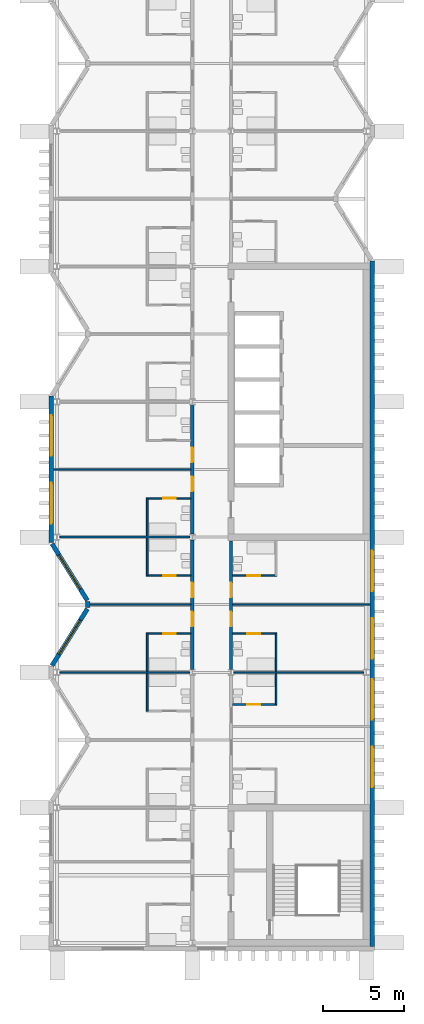
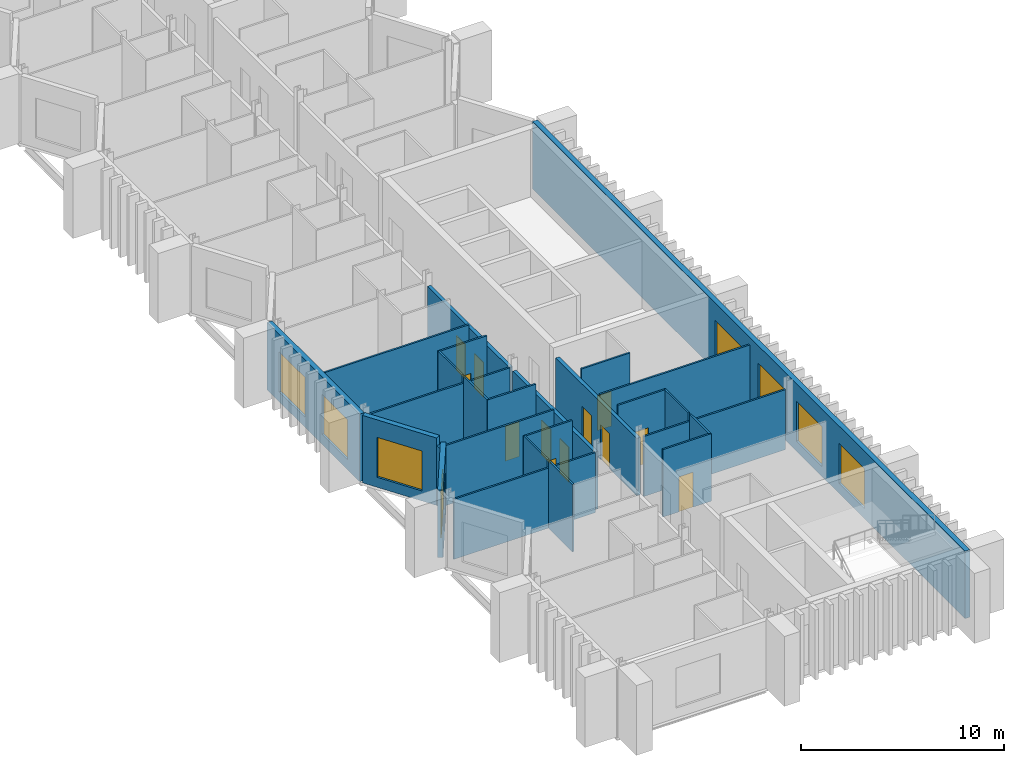
# One storey, part 5 of 11: 26 walls, 12 doors, 8 windows, 20 openings.
"""IFC4 building model written with IfcOpenShell, lengths in metres."""

from ifc_helpers import new_model, si_unit, direction, frame, frame_2d, origin, place, context, subcontext, project, spatial, rectangle, extrude, material, layer, layer_set, type_object, element, fill, save


model = new_model("IFC4")

# Units and contexts
model_context = context("Model", 3, precision=1e-05, world=origin(), true_north=direction((0.0, 1.0)))
body_context = subcontext(model_context, "Body", "Model", "MODEL_VIEW")
ifc_project = project(units=[si_unit("LENGTHUNIT", "METRE"), si_unit("AREAUNIT", "SQUARE_METRE"), si_unit("VOLUMEUNIT", "CUBIC_METRE"), si_unit("PLANEANGLEUNIT", "RADIAN"), si_unit("MASSUNIT", "GRAM", prefix="KILO")], contexts=[model_context])

# Site, building, storey
site_placement = place(None, origin())
site = spatial("IfcSite", under=ifc_project, at=site_placement, CompositionType="ELEMENT")
building_placement = place(site_placement, origin())
building = spatial("IfcBuilding", under=site, at=building_placement, Name="Cresset Court Congress Hotel", CompositionType="ELEMENT")
storey_placement = place(building_placement, frame((0.0, 0.0, 39.60009765625)))
storey = spatial("IfcBuildingStorey", under=building, at=storey_placement, Name="L09", CompositionType="ELEMENT", Elevation=39.60009765625)

# Wall, openings, doors
ifc_material_1 = material(Name="Gypsum board partition")
ifc_layer_1 = layer(ifc_material_1, 0.199951171875)
ifc_layer_set_1 = layer_set([ifc_layer_1], Name="Corridor wall 200")
wall_type_1 = type_object("IfcWallType", Name="Corridor wall 200", PredefinedType="PARTITIONING", material=ifc_layer_set_1)
wall_1_placement = place(storey_placement, frame((165.60009765625, 16.97509765625, 0.0), z_axis=(0.0, 0.0, 1.0), x_axis=(0.0, 1.0, 0.0)))
wall_1 = element("IfcWall", 1, at=wall_1_placement, inside=storey, type_object=wall_type_1, Name="A.wl.L09.072", PredefinedType="PARTITIONING", context=body_context, shape_type="SweptSolid", body=[
    extrude(rectangle(XDim=8.0498046875, YDim=0.199951171875, at=frame_2d((4.02490234375, 0.0))), origin(), (0.0, 0.0, 1.0), 3.449951171875),
])
opening_1_placement = place(wall_1_placement, frame((2.675048828125, 0.0, 0.0)))
opening_1 = element("IfcOpeningElement", 2, at=opening_1_placement, cuts=wall_1, Name="Opening DA-09-10", PredefinedType="OPENING", context=body_context, shape_type="SweptSolid", body=[
    extrude(rectangle(XDim=0.89990234375, YDim=2.10009765625, at=frame_2d((0.449951171875, 1.050048828125))), frame((0.0, 0.10986328125, 0.0), z_axis=(0.0, -1.0, 0.0), x_axis=(1.0, 0.0, 0.0)), (0.0, 0.0, 1.0), 0.219970703125),
])
opening_2_placement = place(wall_1_placement, frame((4.47509765625, 0.0, 0.0)))
opening_2 = element("IfcOpeningElement", 3, at=opening_2_placement, cuts=wall_1, Name="Opening DA-09-12", PredefinedType="OPENING", context=body_context, shape_type="SweptSolid", body=[
    extrude(rectangle(XDim=0.89990234375, YDim=2.10009765625, at=frame_2d((0.449951171875, 1.050048828125))), frame((0.0, 0.10986328125, 0.0), z_axis=(0.0, -1.0, 0.0), x_axis=(1.0, 0.0, 0.0)), (0.0, 0.0, 1.0), 0.219970703125),
])
ifc_material_2 = material(Name="timber", Category="wood")
door_type_1 = type_object("IfcDoorType", Name="Guest-room entry door 900x2100 FD30S", OperationType="SINGLE_SWING_LEFT", PredefinedType="DOOR", material=ifc_material_2)
door_1_placement = place(opening_1_placement, origin())
door_1 = element("IfcDoor", 4, at=door_1_placement, inside=storey, type_object=door_type_1, Name="Door DA-09-10", OperationType="SINGLE_SWING_RIGHT", OverallHeight=2.10009765625, OverallWidth=0.89990234375, PredefinedType="DOOR", context=body_context, shape_type="SweptSolid", body=[
    extrude(rectangle(XDim=0.89990234375, YDim=2.10009765625, at=frame_2d((0.449951171875, 1.050048828125))), frame((0.0, 0.02490234375, 0.0), z_axis=(0.0, -1.0, 0.0), x_axis=(1.0, 0.0, 0.0)), (0.0, 0.0, 1.0), 0.050048828125),
])
fill(opening_1, door_1)
door_2_placement = place(opening_2_placement, origin())
door_2 = element("IfcDoor", 5, at=door_2_placement, inside=storey, type_object=door_type_1, Name="Door DA-09-12", OperationType="SINGLE_SWING_LEFT", OverallHeight=2.10009765625, OverallWidth=0.89990234375, PredefinedType="DOOR", context=body_context, shape_type="SweptSolid", body=[
    extrude(rectangle(XDim=0.89990234375, YDim=2.10009765625, at=frame_2d((0.449951171875, 1.050048828125))), frame((0.0, 0.02490234375, 0.0), z_axis=(0.0, -1.0, 0.0), x_axis=(1.0, 0.0, 0.0)), (0.0, 0.0, 1.0), 0.050048828125),
])
fill(opening_2, door_2)

wall_2_placement = place(storey_placement, frame((165.60009765625, 25.375, 0.0), z_axis=(0.0, 0.0, 1.0), x_axis=(0.0, 1.0, 0.0)))
wall_2 = element("IfcWall", 6, at=wall_2_placement, inside=storey, type_object=wall_type_1, Name="A.wl.L09.073", PredefinedType="PARTITIONING", context=body_context, shape_type="SweptSolid", body=[
    extrude(rectangle(XDim=8.050048828125, YDim=0.199951171875, at=frame_2d((4.02490234375, 0.0))), origin(), (0.0, 0.0, 1.0), 3.449951171875),
])
opening_3_placement = place(wall_2_placement, frame((2.675048828125, 0.0, 0.0)))
opening_3 = element("IfcOpeningElement", 7, at=opening_3_placement, cuts=wall_2, Name="Opening DA-09-14", PredefinedType="OPENING", context=body_context, shape_type="SweptSolid", body=[
    extrude(rectangle(XDim=0.89990234375, YDim=2.10009765625, at=frame_2d((0.449951171875, 1.050048828125))), frame((0.0, 0.10986328125, 0.0), z_axis=(0.0, -1.0, 0.0), x_axis=(1.0, 0.0, 0.0)), (0.0, 0.0, 1.0), 0.219970703125),
])
opening_4_placement = place(wall_2_placement, frame((4.47509765625, 0.0, 0.0)))
opening_4 = element("IfcOpeningElement", 8, at=opening_4_placement, cuts=wall_2, Name="Opening DA-09-16", PredefinedType="OPENING", context=body_context, shape_type="SweptSolid", body=[
    extrude(rectangle(XDim=0.89990234375, YDim=2.10009765625, at=frame_2d((0.449951171875, 1.050048828125))), frame((0.0, 0.10986328125, 0.0), z_axis=(0.0, -1.0, 0.0), x_axis=(1.0, 0.0, 0.0)), (0.0, 0.0, 1.0), 0.219970703125),
])
door_3_placement = place(opening_3_placement, origin())
door_3 = element("IfcDoor", 9, at=door_3_placement, inside=storey, type_object=door_type_1, Name="Door DA-09-14", OperationType="SINGLE_SWING_RIGHT", OverallHeight=2.10009765625, OverallWidth=0.89990234375, PredefinedType="DOOR", context=body_context, shape_type="SweptSolid", body=[
    extrude(rectangle(XDim=0.89990234375, YDim=2.10009765625, at=frame_2d((0.449951171875, 1.050048828125))), frame((0.0, 0.02490234375, 0.0), z_axis=(0.0, -1.0, 0.0), x_axis=(1.0, 0.0, 0.0)), (0.0, 0.0, 1.0), 0.050048828125),
])
fill(opening_3, door_3)
door_4_placement = place(opening_4_placement, origin())
door_4 = element("IfcDoor", 10, at=door_4_placement, inside=storey, type_object=door_type_1, Name="Door DA-09-16", OperationType="SINGLE_SWING_LEFT", OverallHeight=2.10009765625, OverallWidth=0.89990234375, PredefinedType="DOOR", context=body_context, shape_type="SweptSolid", body=[
    extrude(rectangle(XDim=0.89990234375, YDim=2.10009765625, at=frame_2d((0.449951171875, 1.050048828125))), frame((0.0, 0.02490234375, 0.0), z_axis=(0.0, -1.0, 0.0), x_axis=(1.0, 0.0, 0.0)), (0.0, 0.0, 1.0), 0.050048828125),
])
fill(opening_4, door_4)

wall_3_placement = place(storey_placement, frame((168.0, 16.97509765625, 0.0), z_axis=(0.0, 0.0, 1.0), x_axis=(0.0, 1.0, 0.0)))
wall_3 = element("IfcWall", 11, at=wall_3_placement, inside=storey, type_object=wall_type_1, Name="A.wl.L09.079", PredefinedType="PARTITIONING", context=body_context, shape_type="SweptSolid", body=[
    extrude(rectangle(XDim=7.974853515625, YDim=0.199951171875, at=frame_2d((3.9873046875, 0.0))), origin(), (0.0, 0.0, 1.0), 3.449951171875),
])
opening_5_placement = place(wall_3_placement, frame((2.675048828125, 0.0, 0.0)))
opening_5 = element("IfcOpeningElement", 12, at=opening_5_placement, cuts=wall_3, Name="Opening DA-09-38", PredefinedType="OPENING", context=body_context, shape_type="SweptSolid", body=[
    extrude(rectangle(XDim=0.89990234375, YDim=2.10009765625, at=frame_2d((0.449951171875, 1.050048828125))), frame((0.0, 0.10986328125, 0.0), z_axis=(0.0, -1.0, 0.0), x_axis=(1.0, 0.0, 0.0)), (0.0, 0.0, 1.0), 0.219970703125),
])
opening_6_placement = place(wall_3_placement, frame((4.47509765625, 0.0, 0.0)))
opening_6 = element("IfcOpeningElement", 13, at=opening_6_placement, cuts=wall_3, Name="Opening DA-09-40", PredefinedType="OPENING", context=body_context, shape_type="SweptSolid", body=[
    extrude(rectangle(XDim=0.89990234375, YDim=2.10009765625, at=frame_2d((0.449951171875, 1.050048828125))), frame((0.0, 0.10986328125, 0.0), z_axis=(0.0, -1.0, 0.0), x_axis=(1.0, 0.0, 0.0)), (0.0, 0.0, 1.0), 0.219970703125),
])
door_5_placement = place(opening_5_placement, origin())
door_5 = element("IfcDoor", 14, at=door_5_placement, inside=storey, type_object=door_type_1, Name="Door DA-09-38", OperationType="SINGLE_SWING_RIGHT", OverallHeight=2.10009765625, OverallWidth=0.89990234375, PredefinedType="DOOR", context=body_context, shape_type="SweptSolid", body=[
    extrude(rectangle(XDim=0.89990234375, YDim=2.10009765625, at=frame_2d((0.449951171875, 1.050048828125))), frame((0.0, 0.02490234375, 0.0), z_axis=(0.0, -1.0, 0.0), x_axis=(1.0, 0.0, 0.0)), (0.0, 0.0, 1.0), 0.050048828125),
])
fill(opening_5, door_5)
door_6_placement = place(opening_6_placement, origin())
door_6 = element("IfcDoor", 15, at=door_6_placement, inside=storey, type_object=door_type_1, Name="Door DA-09-40", OperationType="SINGLE_SWING_LEFT", OverallHeight=2.10009765625, OverallWidth=0.89990234375, PredefinedType="DOOR", context=body_context, shape_type="SweptSolid", body=[
    extrude(rectangle(XDim=0.89990234375, YDim=2.10009765625, at=frame_2d((0.449951171875, 1.050048828125))), frame((0.0, 0.02490234375, 0.0), z_axis=(0.0, -1.0, 0.0), x_axis=(1.0, 0.0, 0.0)), (0.0, 0.0, 1.0), 0.050048828125),
])
fill(opening_6, door_6)

# Walls
ifc_material_3 = material(Name="Gypsum board partition")
ifc_layer_2 = layer(ifc_material_3, 0.10009765625)
ifc_layer_set_2 = layer_set([ifc_layer_2], Name="En-suite wall 100")
wall_type_2 = type_object("IfcWallType", Name="En-suite wall 100", PredefinedType="PARTITIONING", material=ifc_layer_set_2)
wall_4_placement = place(storey_placement, frame((162.800048828125, 14.39990234375, 0.0), z_axis=(0.0, 0.0, 1.0), x_axis=(0.0, 1.0, 0.0)))
element("IfcWall", 16, at=wall_4_placement, inside=storey, type_object=wall_type_2, Name="A.wl.L09.007", PredefinedType="PARTITIONING", context=body_context, shape_type="SweptSolid", body=[
    extrude(rectangle(XDim=2.3251953125, YDim=0.10009765625, at=frame_2d((1.16259765625, 0.0))), origin(), (0.0, 0.0, 1.0), 4.0498046875),
])
wall_5_placement = place(storey_placement, frame((162.800048828125, 16.875, 0.0), z_axis=(0.0, 0.0, 1.0), x_axis=(0.0, 1.0, 0.0)))
element("IfcWall", 17, at=wall_5_placement, inside=storey, type_object=wall_type_2, Name="A.wl.L09.009", PredefinedType="PARTITIONING", context=body_context, shape_type="SweptSolid", body=[
    extrude(rectangle(XDim=2.324951171875, YDim=0.10009765625, at=frame_2d((1.16259765625, 0.0))), origin(), (0.0, 0.0, 1.0), 4.0498046875),
])

# Wall, opening, door
wall_6_placement = place(storey_placement, frame((162.75, 19.199951171875, 0.0), z_axis=(0.0, 0.0, 1.0), x_axis=(1.0, 0.0, 0.0)))
wall_6 = element("IfcWall", 18, at=wall_6_placement, inside=storey, type_object=wall_type_2, Name="A.wl.L09.010", PredefinedType="PARTITIONING", context=body_context, shape_type="SweptSolid", body=[
    extrude(rectangle(XDim=2.75, YDim=0.10009765625, at=frame_2d((1.375, 0.0))), origin(), (0.0, 0.0, 1.0), 4.0498046875),
])
opening_7_placement = place(wall_6_placement, frame((1.030029296875, 0.0, 0.0)))
opening_7 = element("IfcOpeningElement", 19, at=opening_7_placement, cuts=wall_6, Name="Opening DA-09-09", PredefinedType="OPENING", context=body_context, shape_type="SweptSolid", body=[
    extrude(rectangle(XDim=0.800048828125, YDim=2.10009765625, at=frame_2d((0.39990234375, 1.050048828125))), frame((0.0, 0.06005859375, 0.0), z_axis=(0.0, -1.0, 0.0), x_axis=(1.0, 0.0, 0.0)), (0.0, 0.0, 1.0), 0.1201171875),
])
ifc_material_4 = material(Name="timber", Category="wood")
door_type_2 = type_object("IfcDoorType", Name="En-suite door 800x2100", OperationType="SINGLE_SWING_LEFT", PredefinedType="DOOR", material=ifc_material_4)
door_7_placement = place(opening_7_placement, origin())
door_7 = element("IfcDoor", 20, at=door_7_placement, inside=storey, type_object=door_type_2, Name="Door DA-09-09", OperationType="SINGLE_SWING_RIGHT", OverallHeight=2.10009765625, OverallWidth=0.800048828125, PredefinedType="DOOR", context=body_context, shape_type="SweptSolid", body=[
    extrude(rectangle(XDim=0.800048828125, YDim=2.10009765625, at=frame_2d((0.39990234375, 1.050048828125))), frame((0.0, 0.02490234375, 0.0), z_axis=(0.0, -1.0, 0.0), x_axis=(1.0, 0.0, 0.0)), (0.0, 0.0, 1.0), 0.050048828125),
])
fill(opening_7, door_7)

# Wall
wall_7_placement = place(storey_placement, frame((162.800048828125, 22.800048828125, 0.0), z_axis=(0.0, 0.0, 1.0), x_axis=(0.0, 1.0, 0.0)))
element("IfcWall", 21, at=wall_7_placement, inside=storey, type_object=wall_type_2, Name="A.wl.L09.011", PredefinedType="PARTITIONING", context=body_context, shape_type="SweptSolid", body=[
    extrude(rectangle(XDim=2.324951171875, YDim=0.10009765625, at=frame_2d((1.16259765625, 0.0))), origin(), (0.0, 0.0, 1.0), 4.0498046875),
])

# Wall, opening, door
wall_8_placement = place(storey_placement, frame((162.75, 22.800048828125, 0.0), z_axis=(0.0, 0.0, 1.0), x_axis=(1.0, 0.0, 0.0)))
wall_8 = element("IfcWall", 22, at=wall_8_placement, inside=storey, type_object=wall_type_2, Name="A.wl.L09.012", PredefinedType="PARTITIONING", context=body_context, shape_type="SweptSolid", body=[
    extrude(rectangle(XDim=2.75, YDim=0.10009765625, at=frame_2d((1.375, 0.0))), origin(), (0.0, 0.0, 1.0), 4.0498046875),
])
opening_8_placement = place(wall_8_placement, frame((1.030029296875, 0.0, 0.0)))
opening_8 = element("IfcOpeningElement", 23, at=opening_8_placement, cuts=wall_8, Name="Opening DA-09-11", PredefinedType="OPENING", context=body_context, shape_type="SweptSolid", body=[
    extrude(rectangle(XDim=0.800048828125, YDim=2.10009765625, at=frame_2d((0.39990234375, 1.050048828125))), frame((0.0, 0.06005859375, 0.0), z_axis=(0.0, -1.0, 0.0), x_axis=(1.0, 0.0, 0.0)), (0.0, 0.0, 1.0), 0.1201171875),
])
door_8_placement = place(opening_8_placement, origin())
door_8 = element("IfcDoor", 24, at=door_8_placement, inside=storey, type_object=door_type_2, Name="Door DA-09-11", OperationType="SINGLE_SWING_LEFT", OverallHeight=2.10009765625, OverallWidth=0.800048828125, PredefinedType="DOOR", context=body_context, shape_type="SweptSolid", body=[
    extrude(rectangle(XDim=0.800048828125, YDim=2.10009765625, at=frame_2d((0.39990234375, 1.050048828125))), frame((0.0, 0.02490234375, 0.0), z_axis=(0.0, -1.0, 0.0), x_axis=(1.0, 0.0, 0.0)), (0.0, 0.0, 1.0), 0.050048828125),
])
fill(opening_8, door_8)

# Wall
wall_9_placement = place(storey_placement, frame((162.800048828125, 25.27490234375, 0.0), z_axis=(0.0, 0.0, 1.0), x_axis=(0.0, 1.0, 0.0)))
element("IfcWall", 25, at=wall_9_placement, inside=storey, type_object=wall_type_2, Name="A.wl.L09.013", PredefinedType="PARTITIONING", context=body_context, shape_type="SweptSolid", body=[
    extrude(rectangle(XDim=2.3251953125, YDim=0.10009765625, at=frame_2d((1.16259765625, 0.0))), origin(), (0.0, 0.0, 1.0), 4.0498046875),
])

# Wall, opening, door
wall_10_placement = place(storey_placement, frame((162.75, 27.60009765625, 0.0), z_axis=(0.0, 0.0, 1.0), x_axis=(1.0, 0.0, 0.0)))
wall_10 = element("IfcWall", 26, at=wall_10_placement, inside=storey, type_object=wall_type_2, Name="A.wl.L09.014", PredefinedType="PARTITIONING", context=body_context, shape_type="SweptSolid", body=[
    extrude(rectangle(XDim=2.75, YDim=0.10009765625, at=frame_2d((1.375, 0.0))), origin(), (0.0, 0.0, 1.0), 4.0498046875),
])
opening_9_placement = place(wall_10_placement, frame((1.030029296875, 0.0, 0.0)))
opening_9 = element("IfcOpeningElement", 27, at=opening_9_placement, cuts=wall_10, Name="Opening DA-09-13", PredefinedType="OPENING", context=body_context, shape_type="SweptSolid", body=[
    extrude(rectangle(XDim=0.800048828125, YDim=2.10009765625, at=frame_2d((0.39990234375, 1.050048828125))), frame((0.0, 0.06005859375, 0.0), z_axis=(0.0, -1.0, 0.0), x_axis=(1.0, 0.0, 0.0)), (0.0, 0.0, 1.0), 0.1201171875),
])
door_9_placement = place(opening_9_placement, origin())
door_9 = element("IfcDoor", 28, at=door_9_placement, inside=storey, type_object=door_type_2, Name="Door DA-09-13", OperationType="SINGLE_SWING_RIGHT", OverallHeight=2.10009765625, OverallWidth=0.800048828125, PredefinedType="DOOR", context=body_context, shape_type="SweptSolid", body=[
    extrude(rectangle(XDim=0.800048828125, YDim=2.10009765625, at=frame_2d((0.39990234375, 1.050048828125))), frame((0.0, 0.02490234375, 0.0), z_axis=(0.0, -1.0, 0.0), x_axis=(1.0, 0.0, 0.0)), (0.0, 0.0, 1.0), 0.050048828125),
])
fill(opening_9, door_9)

# Wall
wall_11_placement = place(storey_placement, frame((170.800048828125, 14.800048828125, 0.0), z_axis=(0.0, 0.0, 1.0), x_axis=(0.0, 1.0, 0.0)))
element("IfcWall", 29, at=wall_11_placement, inside=storey, type_object=wall_type_2, Name="A.wl.L09.035", PredefinedType="PARTITIONING", context=body_context, shape_type="SweptSolid", body=[
    extrude(rectangle(XDim=1.925048828125, YDim=0.10009765625, at=frame_2d((0.96240234375, 0.0))), origin(), (0.0, 0.0, 1.0), 4.0498046875),
])

# Wall, opening, door
wall_12_placement = place(storey_placement, frame((170.85009765625, 14.800048828125, 0.0), z_axis=(0.0, 0.0, 1.0), x_axis=(-1.0, 0.0, 0.0)))
wall_12 = element("IfcWall", 30, at=wall_12_placement, inside=storey, type_object=wall_type_2, Name="A.wl.L09.036", PredefinedType="PARTITIONING", context=body_context, shape_type="SweptSolid", body=[
    extrude(rectangle(XDim=2.75, YDim=0.10009765625, at=frame_2d((1.375, 0.0))), origin(), (0.0, 0.0, 1.0), 4.0498046875),
])
opening_10_placement = place(wall_12_placement, frame((1.030029296875, 0.0, 0.0)))
opening_10 = element("IfcOpeningElement", 31, at=opening_10_placement, cuts=wall_12, Name="Opening DA-09-35", PredefinedType="OPENING", context=body_context, shape_type="SweptSolid", body=[
    extrude(rectangle(XDim=0.800048828125, YDim=2.10009765625, at=frame_2d((0.39990234375, 1.050048828125))), frame((0.0, 0.06005859375, 0.0), z_axis=(0.0, -1.0, 0.0), x_axis=(1.0, 0.0, 0.0)), (0.0, 0.0, 1.0), 0.1201171875),
])
door_10_placement = place(opening_10_placement, origin())
door_10 = element("IfcDoor", 32, at=door_10_placement, inside=storey, type_object=door_type_2, Name="Door DA-09-35", OperationType="SINGLE_SWING_LEFT", OverallHeight=2.10009765625, OverallWidth=0.800048828125, PredefinedType="DOOR", context=body_context, shape_type="SweptSolid", body=[
    extrude(rectangle(XDim=0.800048828125, YDim=2.10009765625, at=frame_2d((0.39990234375, 1.050048828125))), frame((0.0, 0.02490234375, 0.0), z_axis=(0.0, -1.0, 0.0), x_axis=(1.0, 0.0, 0.0)), (0.0, 0.0, 1.0), 0.050048828125),
])
fill(opening_10, door_10)

# Wall
wall_13_placement = place(storey_placement, frame((170.800048828125, 16.875, 0.0), z_axis=(0.0, 0.0, 1.0), x_axis=(0.0, 1.0, 0.0)))
element("IfcWall", 33, at=wall_13_placement, inside=storey, type_object=wall_type_2, Name="A.wl.L09.037", PredefinedType="PARTITIONING", context=body_context, shape_type="SweptSolid", body=[
    extrude(rectangle(XDim=2.324951171875, YDim=0.10009765625, at=frame_2d((1.16259765625, 0.0))), origin(), (0.0, 0.0, 1.0), 4.0498046875),
])

# Wall, opening, door
wall_14_placement = place(storey_placement, frame((170.85009765625, 19.199951171875, 0.0), z_axis=(0.0, 0.0, 1.0), x_axis=(-1.0, 0.0, 0.0)))
wall_14 = element("IfcWall", 34, at=wall_14_placement, inside=storey, type_object=wall_type_2, Name="A.wl.L09.038", PredefinedType="PARTITIONING", context=body_context, shape_type="SweptSolid", body=[
    extrude(rectangle(XDim=2.75, YDim=0.10009765625, at=frame_2d((1.375, 0.0))), origin(), (0.0, 0.0, 1.0), 4.0498046875),
])
opening_11_placement = place(wall_14_placement, frame((1.030029296875, 0.0, 0.0)))
opening_11 = element("IfcOpeningElement", 35, at=opening_11_placement, cuts=wall_14, Name="Opening DA-09-37", PredefinedType="OPENING", context=body_context, shape_type="SweptSolid", body=[
    extrude(rectangle(XDim=0.800048828125, YDim=2.10009765625, at=frame_2d((0.39990234375, 1.050048828125))), frame((0.0, 0.06005859375, 0.0), z_axis=(0.0, -1.0, 0.0), x_axis=(1.0, 0.0, 0.0)), (0.0, 0.0, 1.0), 0.1201171875),
])
door_11_placement = place(opening_11_placement, origin())
door_11 = element("IfcDoor", 36, at=door_11_placement, inside=storey, type_object=door_type_2, Name="Door DA-09-37", OperationType="SINGLE_SWING_RIGHT", OverallHeight=2.10009765625, OverallWidth=0.800048828125, PredefinedType="DOOR", context=body_context, shape_type="SweptSolid", body=[
    extrude(rectangle(XDim=0.800048828125, YDim=2.10009765625, at=frame_2d((0.39990234375, 1.050048828125))), frame((0.0, 0.02490234375, 0.0), z_axis=(0.0, -1.0, 0.0), x_axis=(1.0, 0.0, 0.0)), (0.0, 0.0, 1.0), 0.050048828125),
])
fill(opening_11, door_11)

wall_15_placement = place(storey_placement, frame((170.85009765625, 22.800048828125, 0.0), z_axis=(0.0, 0.0, 1.0), x_axis=(-1.0, 0.0, 0.0)))
wall_15 = element("IfcWall", 37, at=wall_15_placement, inside=storey, type_object=wall_type_2, Name="A.wl.L09.040", PredefinedType="PARTITIONING", context=body_context, shape_type="SweptSolid", body=[
    extrude(rectangle(XDim=2.75, YDim=0.10009765625, at=frame_2d((1.375, 0.0))), origin(), (0.0, 0.0, 1.0), 4.0498046875),
])
opening_12_placement = place(wall_15_placement, frame((1.030029296875, 0.0, 0.0)))
opening_12 = element("IfcOpeningElement", 38, at=opening_12_placement, cuts=wall_15, Name="Opening DA-09-39", PredefinedType="OPENING", context=body_context, shape_type="SweptSolid", body=[
    extrude(rectangle(XDim=0.800048828125, YDim=2.10009765625, at=frame_2d((0.39990234375, 1.050048828125))), frame((0.0, 0.06005859375, 0.0), z_axis=(0.0, -1.0, 0.0), x_axis=(1.0, 0.0, 0.0)), (0.0, 0.0, 1.0), 0.1201171875),
])
door_12_placement = place(opening_12_placement, origin())
door_12 = element("IfcDoor", 39, at=door_12_placement, inside=storey, type_object=door_type_2, Name="Door DA-09-39", OperationType="SINGLE_SWING_LEFT", OverallHeight=2.10009765625, OverallWidth=0.800048828125, PredefinedType="DOOR", context=body_context, shape_type="SweptSolid", body=[
    extrude(rectangle(XDim=0.800048828125, YDim=2.10009765625, at=frame_2d((0.39990234375, 1.050048828125))), frame((0.0, 0.02490234375, 0.0), z_axis=(0.0, -1.0, 0.0), x_axis=(1.0, 0.0, 0.0)), (0.0, 0.0, 1.0), 0.050048828125),
])
fill(opening_12, door_12)

# Wall, opening, window
ifc_material_5 = material(Name="Precast concrete C50", Category="concrete")
ifc_layer_3 = layer(ifc_material_5, 0.280029296875)
ifc_layer_set_3 = layer_set([ifc_layer_3], Name="External wall 280")
wall_type_3 = type_object("IfcWallType", Name="External wall 280", PredefinedType="SOLIDWALL", material=ifc_layer_set_3)
wall_16_placement = place(storey_placement, frame((156.88623046875, 17.22412109375, 0.0), z_axis=(0.0, 0.0, 1.0), x_axis=(0.529018946142, 0.848610013271, 0.0)))
wall_16 = element("IfcWall", 40, at=wall_16_placement, inside=storey, type_object=wall_type_3, Name="A.ew.L09.Wn.2.0", PredefinedType="SOLIDWALL", context=body_context, shape_type="SweptSolid", body=[
    extrude(rectangle(XDim=4.144287109375, YDim=0.280029296875, at=frame_2d((2.072265625, 0.0))), origin(), (0.0, 0.0, 1.0), 4.0498046875),
])
opening_13_placement = place(wall_16_placement, frame((0.812255859375, 0.0, 0.60009765625)))
opening_13 = element("IfcOpeningElement", 41, at=opening_13_placement, cuts=wall_16, Name="Opening NA-09-05", PredefinedType="OPENING", context=body_context, shape_type="SweptSolid", body=[
    extrude(rectangle(XDim=2.52001953125, YDim=2.39990234375, at=frame_2d((1.260009765625, 1.199951171875))), frame((0.0, 0.14990234375, 0.0), z_axis=(0.0, -1.0, 0.0), x_axis=(1.0, 0.0, 0.0)), (0.0, 0.0, 1.0), 0.300048828125),
])
ifc_material_6 = material(Name="Aluminium and glass", Category="aluminium")
window_type = type_object("IfcWindowType", Name="Window 2520x2400", PartitioningType="SINGLE_PANEL", PredefinedType="WINDOW", material=ifc_material_6)
window_1_placement = place(opening_13_placement, origin())
window_1 = element("IfcWindow", 42, at=window_1_placement, inside=storey, type_object=window_type, Name="Window NA-09-05", OverallHeight=2.39990234375, OverallWidth=2.52001953125, PartitioningType="SINGLE_PANEL", PredefinedType="WINDOW", context=body_context, shape_type="SweptSolid", body=[
    extrude(rectangle(XDim=2.52001953125, YDim=2.39990234375, at=frame_2d((1.260009765625, 1.199951171875))), frame((0.0, 0.030029296875, 0.0), z_axis=(0.0, -1.0, 0.0), x_axis=(1.0, 0.0, 0.0)), (0.0, 0.0, 1.0), 0.06005859375),
])
fill(opening_13, window_1)

wall_17_placement = place(storey_placement, frame((159.07861328125, 21.259033203125, 0.0), z_axis=(0.0, 0.0, 1.0), x_axis=(-0.529018946142, 0.848610013271, 0.0)))
wall_17 = element("IfcWall", 43, at=wall_17_placement, inside=storey, type_object=wall_type_3, Name="A.ew.L09.Wn.2.1", PredefinedType="SOLIDWALL", context=body_context, shape_type="SweptSolid", body=[
    extrude(rectangle(XDim=4.144287109375, YDim=0.280029296875, at=frame_2d((2.072265625, 0.0))), origin(), (0.0, 0.0, 1.0), 4.0498046875),
])
opening_14_placement = place(wall_17_placement, frame((0.812255859375, 0.0, 0.60009765625)))
opening_14 = element("IfcOpeningElement", 44, at=opening_14_placement, cuts=wall_17, Name="Opening NA-09-06", PredefinedType="OPENING", context=body_context, shape_type="SweptSolid", body=[
    extrude(rectangle(XDim=2.52001953125, YDim=2.39990234375, at=frame_2d((1.260009765625, 1.199951171875))), frame((0.0, 0.14990234375, 0.0), z_axis=(0.0, -1.0, 0.0), x_axis=(1.0, 0.0, 0.0)), (0.0, 0.0, 1.0), 0.300048828125),
])
window_2_placement = place(opening_14_placement, origin())
window_2 = element("IfcWindow", 45, at=window_2_placement, inside=storey, type_object=window_type, Name="Window NA-09-06", OverallHeight=2.39990234375, OverallWidth=2.52001953125, PartitioningType="SINGLE_PANEL", PredefinedType="WINDOW", context=body_context, shape_type="SweptSolid", body=[
    extrude(rectangle(XDim=2.52001953125, YDim=2.39990234375, at=frame_2d((1.260009765625, 1.199951171875))), frame((0.0, 0.030029296875, 0.0), z_axis=(0.0, -1.0, 0.0), x_axis=(1.0, 0.0, 0.0)), (0.0, 0.0, 1.0), 0.06005859375),
])
fill(opening_14, window_2)

# Wall
wall_18_placement = place(storey_placement, frame((159.099609375, 20.815185546875, 0.0), z_axis=(0.0, 0.0, 1.0), x_axis=(0.0, 1.0, 0.0)))
element("IfcWall", 46, at=wall_18_placement, inside=storey, type_object=wall_type_3, Name="A.ew.L09.Wn.2.2", PredefinedType="SOLIDWALL", context=body_context, shape_type="SweptSolid", body=[
    extrude(rectangle(XDim=0.36962890625, YDim=0.280029296875, at=frame_2d((0.184814453125, 0.0))), origin(), (0.0, 0.0, 1.0), 3.60400390625),
])

# Wall, openings, windows
wall_19_placement = place(storey_placement, frame((156.840087890625, 24.85009765625, 0.0), z_axis=(0.0, 0.0, 1.0), x_axis=(0.0, 1.0, 0.0)))
wall_19 = element("IfcWall", 47, at=wall_19_placement, inside=storey, type_object=wall_type_3, Name="A.ew.L09.W.3", PredefinedType="SOLIDWALL", context=body_context, shape_type="SweptSolid", body=[
    extrude(rectangle(XDim=9.099853515625, YDim=0.280029296875, at=frame_2d((4.5498046875, 0.0))), origin(), (0.0, 0.0, 1.0), 4.0498046875),
])
opening_15_placement = place(wall_19_placement, frame((1.18994140625, 0.0, 0.60009765625)))
opening_15 = element("IfcOpeningElement", 48, at=opening_15_placement, cuts=wall_19, Name="Opening NA-09-07", PredefinedType="OPENING", context=body_context, shape_type="SweptSolid", body=[
    extrude(rectangle(XDim=2.52001953125, YDim=2.39990234375, at=frame_2d((1.260009765625, 1.199951171875))), frame((0.0, 0.14990234375, 0.0), z_axis=(0.0, -1.0, 0.0), x_axis=(1.0, 0.0, 0.0)), (0.0, 0.0, 1.0), 0.300048828125),
])
opening_16_placement = place(wall_19_placement, frame((5.389892578125, 0.0, 0.60009765625)))
opening_16 = element("IfcOpeningElement", 49, at=opening_16_placement, cuts=wall_19, Name="Opening NA-09-08", PredefinedType="OPENING", context=body_context, shape_type="SweptSolid", body=[
    extrude(rectangle(XDim=2.52001953125, YDim=2.39990234375, at=frame_2d((1.260009765625, 1.199951171875))), frame((0.0, 0.14990234375, 0.0), z_axis=(0.0, -1.0, 0.0), x_axis=(1.0, 0.0, 0.0)), (0.0, 0.0, 1.0), 0.300048828125),
])
window_3_placement = place(opening_15_placement, origin())
window_3 = element("IfcWindow", 50, at=window_3_placement, inside=storey, type_object=window_type, Name="Window NA-09-07", OverallHeight=2.39990234375, OverallWidth=2.52001953125, PartitioningType="SINGLE_PANEL", PredefinedType="WINDOW", context=body_context, shape_type="SweptSolid", body=[
    extrude(rectangle(XDim=2.52001953125, YDim=2.39990234375, at=frame_2d((1.260009765625, 1.199951171875))), frame((0.0, 0.030029296875, 0.0), z_axis=(0.0, -1.0, 0.0), x_axis=(1.0, 0.0, 0.0)), (0.0, 0.0, 1.0), 0.06005859375),
])
fill(opening_15, window_3)
window_4_placement = place(opening_16_placement, origin())
window_4 = element("IfcWindow", 51, at=window_4_placement, inside=storey, type_object=window_type, Name="Window NA-09-08", OverallHeight=2.39990234375, OverallWidth=2.52001953125, PartitioningType="SINGLE_PANEL", PredefinedType="WINDOW", context=body_context, shape_type="SweptSolid", body=[
    extrude(rectangle(XDim=2.52001953125, YDim=2.39990234375, at=frame_2d((1.260009765625, 1.199951171875))), frame((0.0, 0.030029296875, 0.0), z_axis=(0.0, -1.0, 0.0), x_axis=(1.0, 0.0, 0.0)), (0.0, 0.0, 1.0), 0.06005859375),
])
fill(opening_16, window_4)

wall_20_placement = place(storey_placement, frame((176.760009765625, -0.219970703125, 0.0), z_axis=(0.0, 0.0, 1.0), x_axis=(0.0, 1.0, 0.0)))
wall_20 = element("IfcWall", 52, at=wall_20_placement, inside=storey, type_object=wall_type_3, Name="A.ew.L09.E.1", PredefinedType="SOLIDWALL", context=body_context, shape_type="SweptSolid", body=[
    extrude(rectangle(XDim=42.570068359375, YDim=0.280029296875, at=frame_2d((21.28515625, 0.0))), origin(), (0.0, 0.0, 1.0), 4.0498046875),
])
opening_17_placement = place(wall_20_placement, frame((9.8798828125, 0.0, 0.60009765625)))
opening_17 = element("IfcOpeningElement", 53, at=opening_17_placement, cuts=wall_20, Name="Opening NA-09-17", PredefinedType="OPENING", context=body_context, shape_type="SweptSolid", body=[
    extrude(rectangle(XDim=2.52001953125, YDim=2.39990234375, at=frame_2d((1.260009765625, 1.199951171875))), frame((0.0, 0.14990234375, 0.0), z_axis=(0.0, -1.0, 0.0), x_axis=(1.0, 0.0, 0.0)), (0.0, 0.0, 1.0), 0.300048828125),
])
opening_18_placement = place(wall_20_placement, frame((14.080078125, 0.0, 0.60009765625)))
opening_18 = element("IfcOpeningElement", 54, at=opening_18_placement, cuts=wall_20, Name="Opening NA-09-18", PredefinedType="OPENING", context=body_context, shape_type="SweptSolid", body=[
    extrude(rectangle(XDim=2.52001953125, YDim=2.39990234375, at=frame_2d((1.260009765625, 1.199951171875))), frame((0.0, 0.14990234375, 0.0), z_axis=(0.0, -1.0, 0.0), x_axis=(1.0, 0.0, 0.0)), (0.0, 0.0, 1.0), 0.300048828125),
])
opening_19_placement = place(wall_20_placement, frame((17.860107421875, 0.0, 0.60009765625)))
opening_19 = element("IfcOpeningElement", 55, at=opening_19_placement, cuts=wall_20, Name="Opening NA-09-19", PredefinedType="OPENING", context=body_context, shape_type="SweptSolid", body=[
    extrude(rectangle(XDim=2.52001953125, YDim=2.39990234375, at=frame_2d((1.260009765625, 1.199951171875))), frame((0.0, 0.14990234375, 0.0), z_axis=(0.0, -1.0, 0.0), x_axis=(1.0, 0.0, 0.0)), (0.0, 0.0, 1.0), 0.300048828125),
])
opening_20_placement = place(wall_20_placement, frame((22.06005859375, 0.0, 0.60009765625)))
opening_20 = element("IfcOpeningElement", 56, at=opening_20_placement, cuts=wall_20, Name="Opening NA-09-20", PredefinedType="OPENING", context=body_context, shape_type="SweptSolid", body=[
    extrude(rectangle(XDim=2.52001953125, YDim=2.39990234375, at=frame_2d((1.260009765625, 1.199951171875))), frame((0.0, 0.14990234375, 0.0), z_axis=(0.0, -1.0, 0.0), x_axis=(1.0, 0.0, 0.0)), (0.0, 0.0, 1.0), 0.300048828125),
])
window_5_placement = place(opening_17_placement, origin())
window_5 = element("IfcWindow", 57, at=window_5_placement, inside=storey, type_object=window_type, Name="Window NA-09-17", OverallHeight=2.39990234375, OverallWidth=2.52001953125, PartitioningType="SINGLE_PANEL", PredefinedType="WINDOW", context=body_context, shape_type="SweptSolid", body=[
    extrude(rectangle(XDim=2.52001953125, YDim=2.39990234375, at=frame_2d((1.260009765625, 1.199951171875))), frame((0.0, 0.030029296875, 0.0), z_axis=(0.0, -1.0, 0.0), x_axis=(1.0, 0.0, 0.0)), (0.0, 0.0, 1.0), 0.06005859375),
])
fill(opening_17, window_5)
window_6_placement = place(opening_18_placement, origin())
window_6 = element("IfcWindow", 58, at=window_6_placement, inside=storey, type_object=window_type, Name="Window NA-09-18", OverallHeight=2.39990234375, OverallWidth=2.52001953125, PartitioningType="SINGLE_PANEL", PredefinedType="WINDOW", context=body_context, shape_type="SweptSolid", body=[
    extrude(rectangle(XDim=2.52001953125, YDim=2.39990234375, at=frame_2d((1.260009765625, 1.199951171875))), frame((0.0, 0.030029296875, 0.0), z_axis=(0.0, -1.0, 0.0), x_axis=(1.0, 0.0, 0.0)), (0.0, 0.0, 1.0), 0.06005859375),
])
fill(opening_18, window_6)
window_7_placement = place(opening_19_placement, origin())
window_7 = element("IfcWindow", 59, at=window_7_placement, inside=storey, type_object=window_type, Name="Window NA-09-19", OverallHeight=2.39990234375, OverallWidth=2.52001953125, PartitioningType="SINGLE_PANEL", PredefinedType="WINDOW", context=body_context, shape_type="SweptSolid", body=[
    extrude(rectangle(XDim=2.52001953125, YDim=2.39990234375, at=frame_2d((1.260009765625, 1.199951171875))), frame((0.0, 0.030029296875, 0.0), z_axis=(0.0, -1.0, 0.0), x_axis=(1.0, 0.0, 0.0)), (0.0, 0.0, 1.0), 0.06005859375),
])
fill(opening_19, window_7)
window_8_placement = place(opening_20_placement, origin())
window_8 = element("IfcWindow", 60, at=window_8_placement, inside=storey, type_object=window_type, Name="Window NA-09-20", OverallHeight=2.39990234375, OverallWidth=2.52001953125, PartitioningType="SINGLE_PANEL", PredefinedType="WINDOW", context=body_context, shape_type="SweptSolid", body=[
    extrude(rectangle(XDim=2.52001953125, YDim=2.39990234375, at=frame_2d((1.260009765625, 1.199951171875))), frame((0.0, 0.030029296875, 0.0), z_axis=(0.0, -1.0, 0.0), x_axis=(1.0, 0.0, 0.0)), (0.0, 0.0, 1.0), 0.06005859375),
])
fill(opening_20, window_8)

# Walls
ifc_material_7 = material(Name="Gypsum board partition")
ifc_layer_4 = layer(ifc_material_7, 0.10009765625)
ifc_layer_set_4 = layer_set([ifc_layer_4], Name="Guest-room partition 100")
wall_type_4 = type_object("IfcWallType", Name="Guest-room partition 100", PredefinedType="PARTITIONING", material=ifc_layer_set_4)
for number, where, z_axis, x_axis, name in (
    (61, (157.375, 16.800048828125, 0.0), (0.0, 0.0, 1.0), (1.0, 0.0, 0.0), "A.wl.L09.050"),
    (62, (157.375, 25.199951171875, 0.0), (0.0, 0.0, 1.0), (1.0, 0.0, 0.0), "A.wl.L09.051"),
    (63, (168.175048828125, 16.800048828125, 0.0), (0.0, 0.0, 1.0), (1.0, 0.0, 0.0), "A.wl.L09.056"),
):
    element("IfcWall", number, at=place(storey_placement, frame(where, z_axis=z_axis, x_axis=x_axis)), inside=storey, type_object=wall_type_4, Name=name, PredefinedType="PARTITIONING", context=body_context, shape_type="SweptSolid", body=[
        extrude(rectangle(XDim=8.050048828125, YDim=0.10009765625, at=frame_2d((4.02490234375, 0.0))), origin(), (0.0, 0.0, 1.0), 3.60400390625),
    ])
wall_21_placement = place(storey_placement, frame((159.23974609375, 21.0, 0.0), z_axis=(0.0, 0.0, 1.0), x_axis=(1.0, 0.0, 0.0)))
element("IfcWall", 64, at=wall_21_placement, inside=storey, type_object=wall_type_4, Name="A.wl.L09.060", PredefinedType="PARTITIONING", context=body_context, shape_type="SweptSolid", body=[
    extrude(rectangle(XDim=6.26025390625, YDim=0.10009765625, at=frame_2d((3.130126953125, 0.0))), origin(), (0.0, 0.0, 1.0), 3.60400390625),
])
for number, where, z_axis, x_axis, name in (
    (65, (156.97998046875, 29.39990234375, 0.0), (0.0, 0.0, 1.0), (1.0, 0.0, 0.0), "A.wl.L09.061"),
    (66, (168.10009765625, 21.0, 0.0), (0.0, 0.0, 1.0), (1.0, 0.0, 0.0), "A.wl.L09.067"),
):
    element("IfcWall", number, at=place(storey_placement, frame(where, z_axis=z_axis, x_axis=x_axis)), inside=storey, type_object=wall_type_4, Name=name, PredefinedType="PARTITIONING", context=body_context, shape_type="SweptSolid", body=[
        extrude(rectangle(XDim=8.52001953125, YDim=0.10009765625, at=frame_2d((4.260009765625, 0.0))), origin(), (0.0, 0.0, 1.0), 3.60400390625),
    ])

save(model, "model.ifc")
